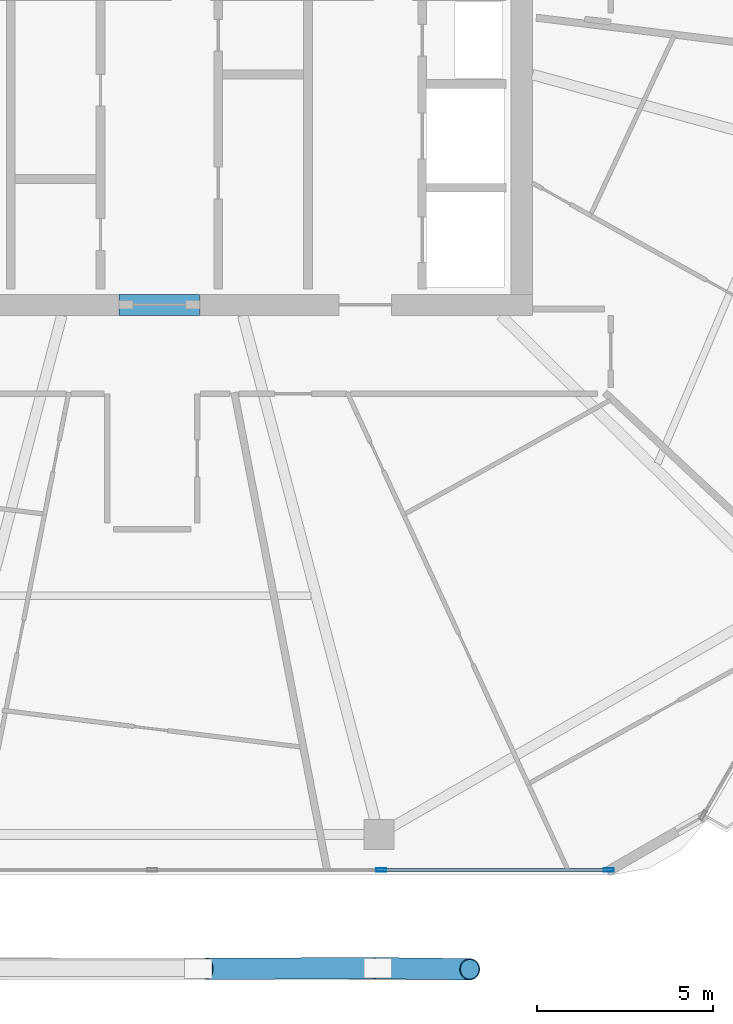
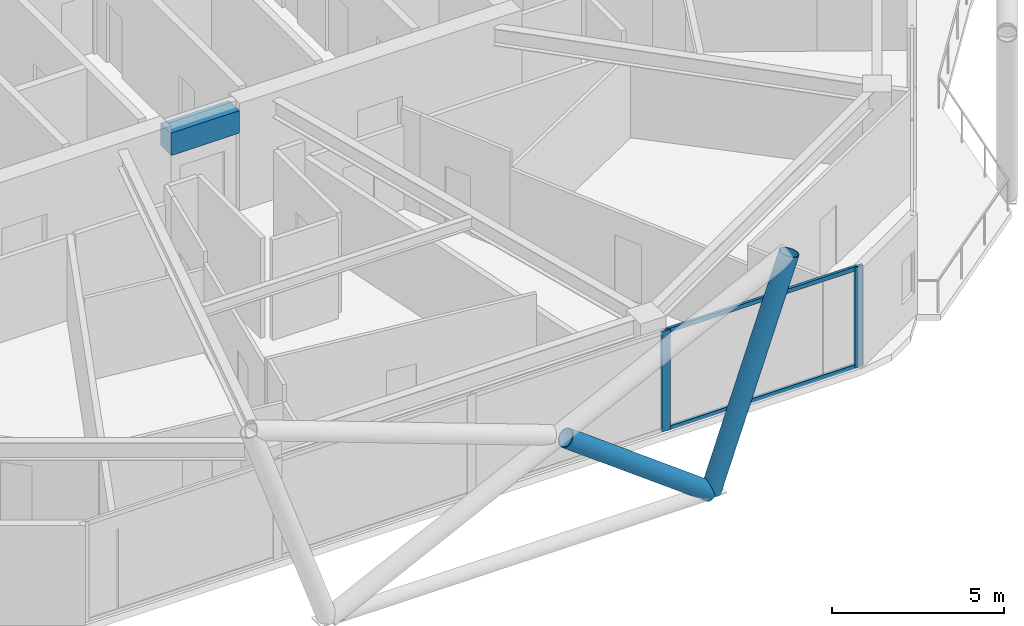
# One storey, part 7 of 29: 6 members, 1 beam, 1 element without a shape of its own.
"""IFC4 building model written with IfcOpenShell, lengths in metres."""

from ifc_helpers import new_model, si_unit, direction, frame, origin, origin_2d, place, context, subcontext, project, spatial, rectangle, hollow_rectangle, hollow_circle, extrude, material, material_profile, profile_set, type_object, element, aggregate, save


model = new_model("IFC4")

# Units and contexts
model_context = context("Model", 3, precision=1e-05, world=origin(), true_north=direction((0.0, 1.0)))
body_context = subcontext(model_context, "Body", "Model", "MODEL_VIEW")
ifc_project = project(units=[si_unit("LENGTHUNIT", "METRE"), si_unit("AREAUNIT", "SQUARE_METRE"), si_unit("VOLUMEUNIT", "CUBIC_METRE"), si_unit("PLANEANGLEUNIT", "RADIAN"), si_unit("MASSUNIT", "GRAM", prefix="KILO")], contexts=[model_context])

# Site, building, storey
site_placement = place(None, origin())
site = spatial("IfcSite", under=ifc_project, at=site_placement, CompositionType="ELEMENT")
building_placement = place(site_placement, origin())
building = spatial("IfcBuilding", under=site, at=building_placement, Name="Zuhravey Tower", CompositionType="ELEMENT")
storey_placement = place(building_placement, frame((0.0, 0.0, 269.199951171875)))
storey = spatial("IfcBuildingStorey", under=building, at=storey_placement, Name="L68", CompositionType="ELEMENT", Elevation=269.199951171875)

# Beam
ifc_material_1 = material(Name="Concrete C50/60", Category="concrete")
ifc_material_profile_1 = material_profile(ifc_material_1, rectangle(XDim=0.60009765625, YDim=0.800048828125, at=origin_2d()), Name="RC-600x800")
ifc_profile_set_1 = profile_set([ifc_material_profile_1], Name="Concrete C50/60")
beam_type = type_object("IfcBeamType", Name="Core Coupling Beam RC600x800", PredefinedType="LINTEL", material=ifc_profile_set_1)
beam_placement = place(storey_placement, frame((35.052001953125, 22.5, 3.150146484375), z_axis=(1.0, 0.0, 0.0), x_axis=(0.0, 1.0, 0.0)))
element("IfcBeam", 1, at=beam_placement, inside=storey, type_object=beam_type, Name="L68 CB2 BM-L68-CB-S", PredefinedType="LINTEL", context=body_context, shape_type="SweptSolid", body=[
    extrude(rectangle(XDim=0.60009765625, YDim=0.800048828125, at=origin_2d()), origin(), (0.0, 0.0, 1.0), 2.2958984375),
])

# Curtain wall, members
ifc_material_2 = material(Name="Thermally broken anodised aluminium", Category="aluminium")
curtain_wall_type = type_object("IfcCurtainWallType", Name="Zone 3-4 High-Rise Curtain Wall CW4", PredefinedType="NOTDEFINED", material=ifc_material_2)
curtain_wall_placement = place(storey_placement, origin())
curtain_wall = element("IfcCurtainWall", 2, at=curtain_wall_placement, inside=storey, type_object=curtain_wall_type, Name="L68 CW4 CW-L68-F5-1", PredefinedType="NOTDEFINED")
ifc_material_3 = material(Name="Anodised aluminium", Category="aluminium")
ifc_material_profile_2 = material_profile(ifc_material_3, hollow_rectangle(XDim=0.090087890625, YDim=0.284912109375, WallThickness=0.0048828125, at=origin_2d()), Name="ALU-RHS-90x285x5")
ifc_profile_set_2 = profile_set([ifc_material_profile_2], Name="Anodised aluminium")
member_type_1 = type_object("IfcMemberType", Name="Curtain-Wall Mullion 90x180", PredefinedType="MULLION", material=ifc_profile_set_2)
member_1_placement = place(storey_placement, frame((48.9677734375, 6.436279296875, 0.0), z_axis=(0.0, 0.0, 1.0), x_axis=(0.0, -1.0, 0.0)))
member_1 = element("IfcMember", 3, at=member_1_placement, type_object=member_type_1, Name="CW4 mullion 1", PredefinedType="MULLION", context=body_context, shape_type="SweptSolid", body=[
    extrude(hollow_rectangle(XDim=0.090087890625, YDim=0.284912109375, WallThickness=0.0048828125, at=origin_2d()), origin(), (0.0, 0.0, 1.0), 3.550048828125),
])
member_2_placement = place(storey_placement, frame((42.50634765625, 6.436279296875, 0.0), z_axis=(0.0, 0.0, 1.0), x_axis=(0.0, -1.0, 0.0)))
member_2 = element("IfcMember", 4, at=member_2_placement, type_object=member_type_1, Name="CW4 mullion 2", PredefinedType="MULLION", context=body_context, shape_type="SweptSolid", body=[
    extrude(hollow_rectangle(XDim=0.090087890625, YDim=0.284912109375, WallThickness=0.0048828125, at=origin_2d()), origin(), (0.0, 0.0, 1.0), 3.550048828125),
])
ifc_material_profile_3 = material_profile(ifc_material_3, hollow_rectangle(XDim=0.090087890625, YDim=0.14990234375, WallThickness=0.0048828125, at=origin_2d()), Name="ALU-RHS-90x150x5")
ifc_profile_set_3 = profile_set([ifc_material_profile_3], Name="Anodised aluminium")
member_type_2 = type_object("IfcMemberType", Name="Curtain-Wall Transom 90x150", PredefinedType="USERDEFINED", material=ifc_profile_set_3)
member_3_placement = place(storey_placement, frame((48.922607421875, 6.436279296875, 0.045166015625), z_axis=(-1.0, 0.0, 0.0), x_axis=(0.0, -1.0, 0.0)))
member_3 = element("IfcMember", 5, at=member_3_placement, type_object=member_type_2, Name="CW4 transom 1.1", ObjectType="TRANSOM", PredefinedType="USERDEFINED", context=body_context, shape_type="SweptSolid", body=[
    extrude(hollow_rectangle(XDim=0.090087890625, YDim=0.14990234375, WallThickness=0.0048828125, at=origin_2d()), origin(), (0.0, 0.0, 1.0), 6.371337890625),
])
member_4_placement = place(storey_placement, frame((48.922607421875, 6.436279296875, 3.505126953125), z_axis=(-1.0, 0.0, 0.0), x_axis=(0.0, -1.0, 0.0)))
member_4 = element("IfcMember", 6, at=member_4_placement, type_object=member_type_2, Name="CW4 transom 1.2", ObjectType="TRANSOM", PredefinedType="USERDEFINED", context=body_context, shape_type="SweptSolid", body=[
    extrude(hollow_rectangle(XDim=0.090087890625, YDim=0.14990234375, WallThickness=0.0048828125, at=origin_2d()), origin(), (0.0, 0.0, 1.0), 6.371337890625),
])
aggregate(curtain_wall, [member_1, member_2, member_3, member_4])

# Members
ifc_material_4 = material(Name="Steel SM355", Category="steel")
ifc_material_profile_4 = material_profile(ifc_material_4, hollow_circle(Radius=0.3046875, WallThickness=0.028076171875, at=origin_2d()), Name="CHS-609.6x28")
ifc_profile_set_4 = profile_set([ifc_material_profile_4], Name="Steel SM355")
member_type_3 = type_object("IfcMemberType", Name="Exoskeleton Zone 3 Diagrid CHS610x28", PredefinedType="BRACE", material=ifc_profile_set_4)
member_5_placement = place(storey_placement, frame((42.413818359375, 3.646240234375, -0.446044921875), z_axis=(0.326048604567, -0.003722434003, 0.945345678017), x_axis=(0.011416063057, 0.999934834629, 0.0)))
element("IfcMember", 7, at=member_5_placement, inside=storey, type_object=member_type_3, Name="L68 Face 5 Diagrid Brace 4", PredefinedType="BRACE", context=body_context, shape_type="SweptSolid", body=[
    extrude(hollow_circle(Radius=0.3046875, WallThickness=0.028076171875, at=origin_2d()), origin(), (0.0, 0.0, 1.0), 8.00146484375),
])
member_6_placement = place(storey_placement, frame((42.375, 3.646240234375, -0.439697265625), z_axis=(-0.801711857195, -0.002351417837, 0.597706089033), x_axis=(0.002932983592, -0.999995698794, 0.0)))
element("IfcMember", 8, at=member_6_placement, inside=storey, type_object=member_type_3, Name="L68 Face 5 Split Diagrid Brace 3A", PredefinedType="BRACE", context=body_context, shape_type="SweptSolid", body=[
    extrude(hollow_circle(Radius=0.3046875, WallThickness=0.028076171875, at=origin_2d()), origin(), (0.0, 0.0, 1.0), 6.02197265625),
])

save(model, "model.ifc")
